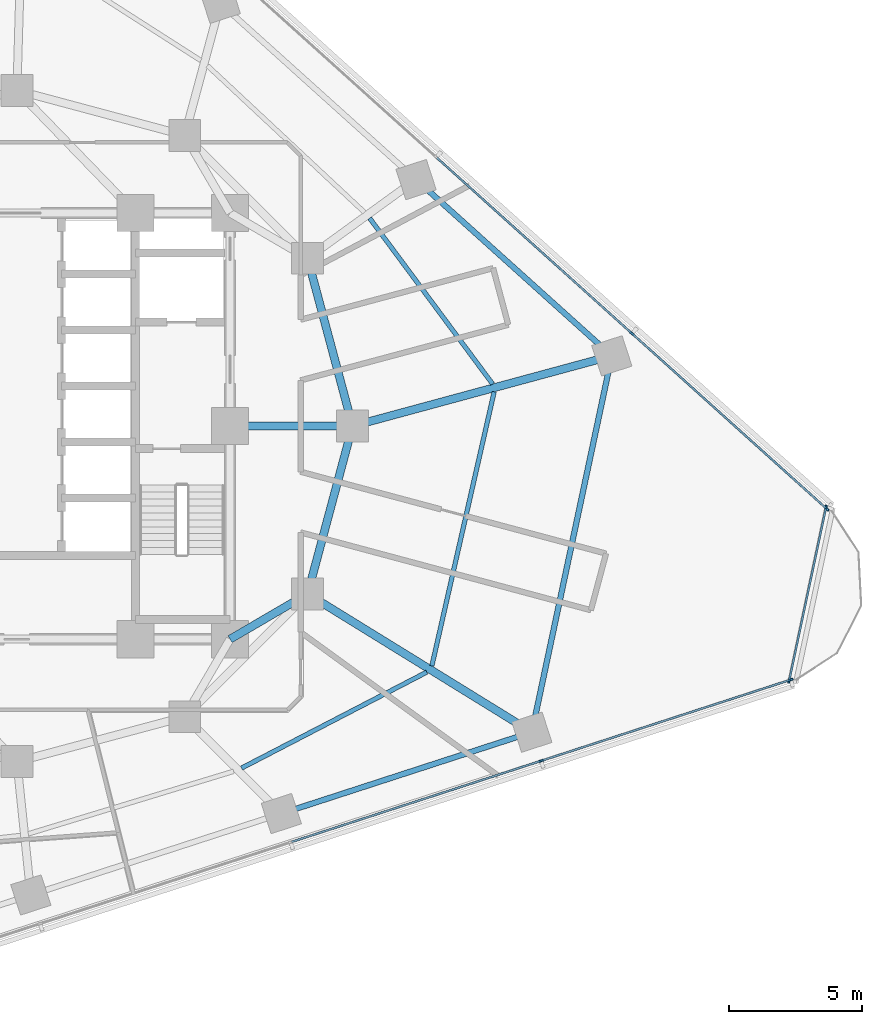
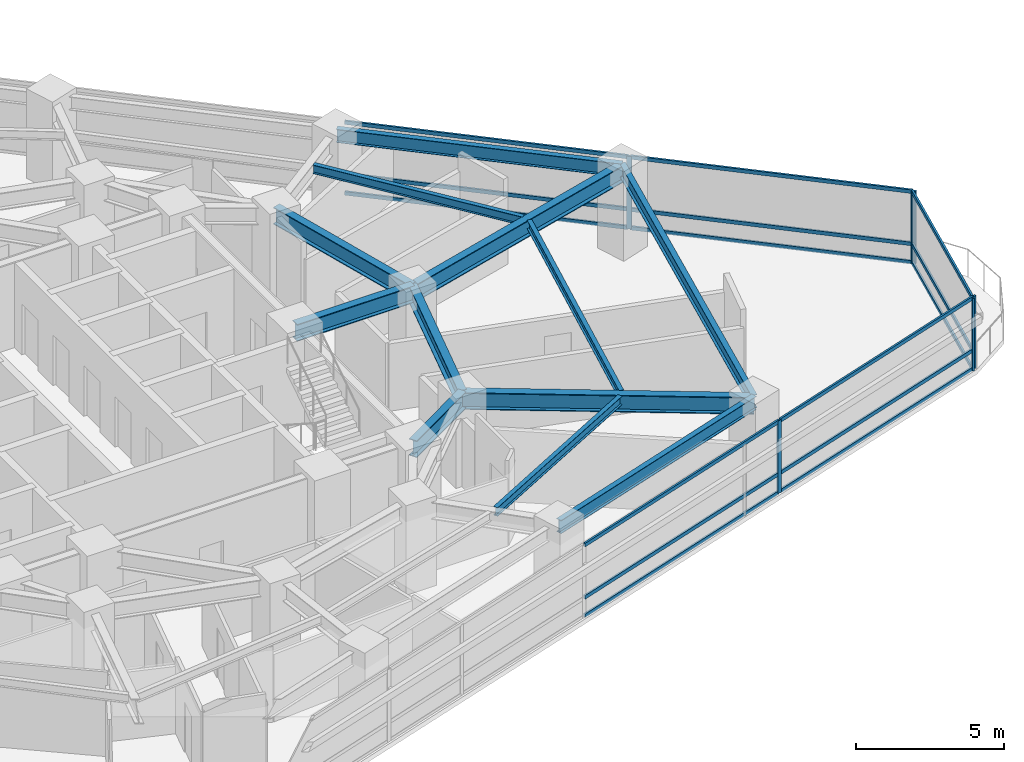
# One storey, part 4 of 13: 21 members, 12 beams, 3 elements without a shape of their own.
"""IFC4 building model written with IfcOpenShell, lengths in metres."""

from ifc_helpers import new_model, si_unit, direction, frame, origin, origin_2d, place, context, subcontext, project, spatial, rectangle, i_section, extrude, material, layer, layer_set, material_profile, profile_set, type_object, element, aggregate, save


model = new_model("IFC4")

# Units and contexts
model_context = context("Model", 3, precision=1e-05, world=origin(), true_north=direction((0.0, 1.0)))
body_context = subcontext(model_context, "Body", "Model", "MODEL_VIEW")
ifc_project = project(units=[si_unit("LENGTHUNIT", "METRE"), si_unit("AREAUNIT", "SQUARE_METRE"), si_unit("VOLUMEUNIT", "CUBIC_METRE"), si_unit("PLANEANGLEUNIT", "RADIAN"), si_unit("MASSUNIT", "GRAM", prefix="KILO")], contexts=[model_context])

# Site, building, storey
site_placement = place(None, origin())
site = spatial("IfcSite", under=ifc_project, at=site_placement, CompositionType="ELEMENT")
building_placement = place(site_placement, origin())
building = spatial("IfcBuilding", under=site, at=building_placement, Name="Terralouvre Media Tower", CompositionType="ELEMENT")
storey_placement = place(building_placement, frame((0.0, 0.0, 94.0)))
storey = spatial("IfcBuildingStorey", under=building, at=storey_placement, Name="L23", CompositionType="ELEMENT", Elevation=94.0)

# Beams
ifc_material_1 = material(Name="Structural steel S355J2", Category="steel")
ifc_material_profile_1 = material_profile(ifc_material_1, i_section(OverallWidth=0.169921875, OverallDepth=0.360107421875, WebThickness=0.008056640625, FlangeThickness=0.0126953125, at=origin_2d()), Name="IPE 360")
ifc_profile_set_1 = profile_set([ifc_material_profile_1], Name="Structural steel S355J2")
beam_type_1 = type_object("IfcBeamType", Name="Composite Floor Joist J-IPE360 (IPE 360)", PredefinedType="JOIST", material=ifc_profile_set_1)
beam_1_placement = place(storey_placement, frame((8.431640625, -12.83984375, 3.320068359375), z_axis=(0.88785826519, 0.460117051339, 0.0), x_axis=(-0.460117051339, 0.88785826519, 0.0)))
element("IfcBeam", 1, at=beam_1_placement, inside=storey, type_object=beam_type_1, Name="L23 Framing Beam JT-L23-05", PredefinedType="JOIST", context=body_context, shape_type="SweptSolid", body=[
    extrude(i_section(OverallWidth=0.169921875, OverallDepth=0.360107421875, WebThickness=0.008056640625, FlangeThickness=0.0126953125, at=origin_2d()), origin(), (0.0, 0.0, 1.0), 7.8349609375),
])
beam_2_placement = place(storey_placement, frame((15.576171875, -9.002685546875, 3.320068359375), z_axis=(0.221710109681, 0.975112622862, 0.0), x_axis=(-0.975112622862, 0.221710109681, 0.0)))
element("IfcBeam", 2, at=beam_2_placement, inside=storey, type_object=beam_type_1, Name="L23 Framing Beam JT-L23-06", PredefinedType="JOIST", context=body_context, shape_type="SweptSolid", body=[
    extrude(i_section(OverallWidth=0.169921875, OverallDepth=0.360107421875, WebThickness=0.008056640625, FlangeThickness=0.0126953125, at=origin_2d()), origin(), (0.0, 0.0, 1.0), 10.551513671875),
])
beam_3_placement = place(storey_placement, frame((17.85791015625, 1.57763671875, 3.320068359375), z_axis=(-0.595682426609, 0.803220048697, 0.0), x_axis=(-0.803220048697, -0.595682426609, 0.0)))
element("IfcBeam", 3, at=beam_3_placement, inside=storey, type_object=beam_type_1, Name="L23 Framing Beam JT-L23-07", PredefinedType="JOIST", context=body_context, shape_type="SweptSolid", body=[
    extrude(i_section(OverallWidth=0.169921875, OverallDepth=0.360107421875, WebThickness=0.008056640625, FlangeThickness=0.0126953125, at=origin_2d()), origin(), (0.0, 0.0, 1.0), 7.7509765625),
])

# Curtain wall, members
ifc_material_2 = material(Name="Low-iron laminated double glazing with solar-control coating", Category="glass")
ifc_layer_1 = layer(ifc_material_2, 0.1650390625, Name="Lower Media Tower Unitised Curtain Wall CW-02")
ifc_layer_set_1 = layer_set([ifc_layer_1], Name="Low-iron laminated double glazing with solar-control coating")
curtain_wall_type_1 = type_object("IfcCurtainWallType", Name="Lower Media Tower Unitised Curtain Wall CW-02", PredefinedType="NOTDEFINED", material=ifc_layer_set_1)
curtain_wall_1_placement = place(storey_placement, origin())
curtain_wall_1 = element("IfcCurtainWall", 4, at=curtain_wall_1_placement, inside=storey, type_object=curtain_wall_type_1, Name="L23 Facade Curtain Wall F0", PredefinedType="NOTDEFINED")
ifc_material_3 = material(Name="Anodised extruded aluminium 6063-T6", Category="aluminium")
ifc_material_profile_2 = material_profile(ifc_material_3, rectangle(XDim=0.074951171875, YDim=0.14990234375, at=origin_2d()), Name="ALU 75x150")
ifc_profile_set_2 = profile_set([ifc_material_profile_2], Name="Anodised extruded aluminium 6063-T6")
member_type_1 = type_object("IfcMemberType", Name="Curtain-Wall Horizontal Transom TR-150", PredefinedType="USERDEFINED", material=ifc_profile_set_2)
member_1_placement = place(storey_placement, frame((10.309814453125, -15.610107421875, 0.03759765625), z_axis=(0.951061672682, 0.309001124198, 0.0), x_axis=(-0.309001124198, 0.951061672682, 0.0)))
member_1 = element("IfcMember", 5, at=member_1_placement, type_object=member_type_1, Name="CW-02 transom 4.1", ObjectType="TRANSOM", PredefinedType="USERDEFINED", context=body_context, shape_type="SweptSolid", body=[
    extrude(rectangle(XDim=0.074951171875, YDim=0.14990234375, at=origin_2d()), origin(), (0.0, 0.0, 1.0), 9.81298828125),
])
member_2_placement = place(storey_placement, frame((10.309814453125, -15.610107421875, 0.800048828125), z_axis=(0.951061672682, 0.309001124198, 0.0), x_axis=(-0.309001124198, 0.951061672682, 0.0)))
member_2 = element("IfcMember", 6, at=member_2_placement, type_object=member_type_1, Name="CW-02 transom 4.2", ObjectType="TRANSOM", PredefinedType="USERDEFINED", context=body_context, shape_type="SweptSolid", body=[
    extrude(rectangle(XDim=0.074951171875, YDim=0.14990234375, at=origin_2d()), origin(), (0.0, 0.0, 1.0), 9.81298828125),
])
member_3_placement = place(storey_placement, frame((10.309814453125, -15.610107421875, 2.96240234375), z_axis=(0.951061672682, 0.309001124198, 0.0), x_axis=(-0.309001124198, 0.951061672682, 0.0)))
member_3 = element("IfcMember", 7, at=member_3_placement, type_object=member_type_1, Name="CW-02 transom 4.3", ObjectType="TRANSOM", PredefinedType="USERDEFINED", context=body_context, shape_type="SweptSolid", body=[
    extrude(rectangle(XDim=0.074951171875, YDim=0.14990234375, at=origin_2d()), origin(), (0.0, 0.0, 1.0), 9.81298828125),
])
member_4_placement = place(storey_placement, frame((19.7138671875, -12.5546875, 0.03759765625), z_axis=(0.951058475667, 0.309010963983, 0.0), x_axis=(-0.309010963983, 0.951058475667, 0.0)))
member_4 = element("IfcMember", 8, at=member_4_placement, type_object=member_type_1, Name="CW-02 transom 5.1", ObjectType="TRANSOM", PredefinedType="USERDEFINED", context=body_context, shape_type="SweptSolid", body=[
    extrude(rectangle(XDim=0.074951171875, YDim=0.14990234375, at=origin_2d()), origin(), (0.0, 0.0, 1.0), 9.775634765625),
])
member_5_placement = place(storey_placement, frame((19.7138671875, -12.5546875, 0.800048828125), z_axis=(0.951058475667, 0.309010963983, 0.0), x_axis=(-0.309010963983, 0.951058475667, 0.0)))
member_5 = element("IfcMember", 9, at=member_5_placement, type_object=member_type_1, Name="CW-02 transom 5.2", ObjectType="TRANSOM", PredefinedType="USERDEFINED", context=body_context, shape_type="SweptSolid", body=[
    extrude(rectangle(XDim=0.074951171875, YDim=0.14990234375, at=origin_2d()), origin(), (0.0, 0.0, 1.0), 9.775634765625),
])
member_6_placement = place(storey_placement, frame((19.7138671875, -12.5546875, 2.96240234375), z_axis=(0.951058475667, 0.309010963983, 0.0), x_axis=(-0.309010963983, 0.951058475667, 0.0)))
member_6 = element("IfcMember", 10, at=member_6_placement, type_object=member_type_1, Name="CW-02 transom 5.3", ObjectType="TRANSOM", PredefinedType="USERDEFINED", context=body_context, shape_type="SweptSolid", body=[
    extrude(rectangle(XDim=0.074951171875, YDim=0.14990234375, at=origin_2d()), origin(), (0.0, 0.0, 1.0), 9.775634765625),
])

curtain_wall_2_placement = place(storey_placement, origin())
curtain_wall_2 = element("IfcCurtainWall", 11, at=curtain_wall_2_placement, inside=storey, type_object=curtain_wall_type_1, Name="L23 Facade Curtain Wall F1", PredefinedType="NOTDEFINED")
member_7_placement = place(storey_placement, frame((30.380615234375, -3.09033203125, 0.03759765625), z_axis=(-0.743137656594, 0.669138568125, 0.0), x_axis=(-0.669138568125, -0.743137656594, 0.0)))
member_7 = element("IfcMember", 12, at=member_7_placement, type_object=member_type_1, Name="CW-02 transom 1.1", ObjectType="TRANSOM", PredefinedType="USERDEFINED", context=body_context, shape_type="SweptSolid", body=[
    extrude(rectangle(XDim=0.074951171875, YDim=0.14990234375, at=origin_2d()), origin(), (0.0, 0.0, 1.0), 9.775634765625),
])
member_8_placement = place(storey_placement, frame((30.380615234375, -3.09033203125, 0.800048828125), z_axis=(-0.743137656594, 0.669138568125, 0.0), x_axis=(-0.669138568125, -0.743137656594, 0.0)))
member_8 = element("IfcMember", 13, at=member_8_placement, type_object=member_type_1, Name="CW-02 transom 1.2", ObjectType="TRANSOM", PredefinedType="USERDEFINED", context=body_context, shape_type="SweptSolid", body=[
    extrude(rectangle(XDim=0.074951171875, YDim=0.14990234375, at=origin_2d()), origin(), (0.0, 0.0, 1.0), 9.775634765625),
])
member_9_placement = place(storey_placement, frame((30.380615234375, -3.09033203125, 2.96240234375), z_axis=(-0.743137656594, 0.669138568125, 0.0), x_axis=(-0.669138568125, -0.743137656594, 0.0)))
member_9 = element("IfcMember", 14, at=member_9_placement, type_object=member_type_1, Name="CW-02 transom 1.3", ObjectType="TRANSOM", PredefinedType="USERDEFINED", context=body_context, shape_type="SweptSolid", body=[
    extrude(rectangle(XDim=0.074951171875, YDim=0.14990234375, at=origin_2d()), origin(), (0.0, 0.0, 1.0), 9.775634765625),
])
member_10_placement = place(storey_placement, frame((23.060302734375, 3.5009765625, 0.03759765625), z_axis=(-0.743145676677, 0.669129661005, 0.0), x_axis=(-0.669129661005, -0.743145676677, 0.0)))
member_10 = element("IfcMember", 15, at=member_10_placement, type_object=member_type_1, Name="CW-02 transom 2.1", ObjectType="TRANSOM", PredefinedType="USERDEFINED", context=body_context, shape_type="SweptSolid", body=[
    extrude(rectangle(XDim=0.074951171875, YDim=0.14990234375, at=origin_2d()), origin(), (0.0, 0.0, 1.0), 9.81298828125),
])
member_11_placement = place(storey_placement, frame((23.060302734375, 3.5009765625, 0.800048828125), z_axis=(-0.743145676677, 0.669129661005, 0.0), x_axis=(-0.669129661005, -0.743145676677, 0.0)))
member_11 = element("IfcMember", 16, at=member_11_placement, type_object=member_type_1, Name="CW-02 transom 2.2", ObjectType="TRANSOM", PredefinedType="USERDEFINED", context=body_context, shape_type="SweptSolid", body=[
    extrude(rectangle(XDim=0.074951171875, YDim=0.14990234375, at=origin_2d()), origin(), (0.0, 0.0, 1.0), 9.81298828125),
])
member_12_placement = place(storey_placement, frame((23.060302734375, 3.5009765625, 2.96240234375), z_axis=(-0.743145676677, 0.669129661005, 0.0), x_axis=(-0.669129661005, -0.743145676677, 0.0)))
member_12 = element("IfcMember", 17, at=member_12_placement, type_object=member_type_1, Name="CW-02 transom 2.3", ObjectType="TRANSOM", PredefinedType="USERDEFINED", context=body_context, shape_type="SweptSolid", body=[
    extrude(rectangle(XDim=0.074951171875, YDim=0.14990234375, at=origin_2d()), origin(), (0.0, 0.0, 1.0), 9.81298828125),
])

ifc_material_4 = material(Name="Low-iron laminated double glazing with solar-control coating", Category="glass")
ifc_layer_2 = layer(ifc_material_4, 0.1650390625, Name="Rounded Wind-Corner Curved Glazing CW-04")
ifc_layer_set_2 = layer_set([ifc_layer_2], Name="Low-iron laminated double glazing with solar-control coating")
curtain_wall_type_2 = type_object("IfcCurtainWallType", Name="Rounded Wind-Corner Curved Glazing CW-04", PredefinedType="NOTDEFINED", material=ifc_layer_set_2)
curtain_wall_3_placement = place(storey_placement, origin())
curtain_wall_3 = element("IfcCurtainWall", 18, at=curtain_wall_3_placement, inside=storey, type_object=curtain_wall_type_2, Name="L23 Rounded Wind-Corner Curtain Wall C1", PredefinedType="NOTDEFINED")
member_13_placement = place(storey_placement, frame((28.998046875, -9.522216796875, 0.03759765625), z_axis=(0.207899641228, 0.978150161876, 0.0), x_axis=(-0.978150161876, 0.207899641228, 0.0)))
member_13 = element("IfcMember", 19, at=member_13_placement, type_object=member_type_1, Name="CW-04 transom 1.1", ObjectType="TRANSOM", PredefinedType="USERDEFINED", context=body_context, shape_type="SweptSolid", body=[
    extrude(rectangle(XDim=0.074951171875, YDim=0.14990234375, at=origin_2d()), origin(), (0.0, 0.0, 1.0), 6.5703125),
])
member_14_placement = place(storey_placement, frame((28.998046875, -9.522216796875, 0.800048828125), z_axis=(0.207899641228, 0.978150161876, 0.0), x_axis=(-0.978150161876, 0.207899641228, 0.0)))
member_14 = element("IfcMember", 20, at=member_14_placement, type_object=member_type_1, Name="CW-04 transom 1.2", ObjectType="TRANSOM", PredefinedType="USERDEFINED", context=body_context, shape_type="SweptSolid", body=[
    extrude(rectangle(XDim=0.074951171875, YDim=0.14990234375, at=origin_2d()), origin(), (0.0, 0.0, 1.0), 6.5703125),
])
member_15_placement = place(storey_placement, frame((28.998046875, -9.522216796875, 2.96240234375), z_axis=(0.207899641228, 0.978150161876, 0.0), x_axis=(-0.978150161876, 0.207899641228, 0.0)))
member_15 = element("IfcMember", 21, at=member_15_placement, type_object=member_type_1, Name="CW-04 transom 1.3", ObjectType="TRANSOM", PredefinedType="USERDEFINED", context=body_context, shape_type="SweptSolid", body=[
    extrude(rectangle(XDim=0.074951171875, YDim=0.14990234375, at=origin_2d()), origin(), (0.0, 0.0, 1.0), 6.5703125),
])

# Member
ifc_material_5 = material(Name="Anodised extruded aluminium 6063-T6", Category="aluminium")
ifc_material_profile_3 = material_profile(ifc_material_5, rectangle(XDim=0.074951171875, YDim=0.179931640625, at=origin_2d()), Name="ALU 75x180")
ifc_profile_set_3 = profile_set([ifc_material_profile_3], Name="Anodised extruded aluminium 6063-T6")
member_type_2 = type_object("IfcMemberType", Name="Curtain-Wall Vertical Mullion ML-180", PredefinedType="MULLION", material=ifc_profile_set_3)
member_16_placement = place(storey_placement, frame((19.67822265625, -12.566162109375, 0.0), z_axis=(0.0, 0.0, 1.0), x_axis=(-0.309017015439, 0.951056509451, 0.0)))
member_16 = element("IfcMember", 22, at=member_16_placement, type_object=member_type_2, Name="CW-02 mullion 5", PredefinedType="MULLION", context=body_context, shape_type="SweptSolid", body=[
    extrude(rectangle(XDim=0.074951171875, YDim=0.179931640625, at=origin_2d()), origin(), (0.0, 0.0, 1.0), 3.0),
])

member_17_placement = place(storey_placement, frame((29.046630859375, -9.522216796875, 0.0), z_axis=(0.0, 0.0, 1.0), x_axis=(-0.309017015439, 0.951056509451, 0.0)))
member_17 = element("IfcMember", 23, at=member_17_placement, type_object=member_type_2, Name="CW-02 mullion 6", PredefinedType="MULLION", context=body_context, shape_type="SweptSolid", body=[
    extrude(rectangle(XDim=0.074951171875, YDim=0.179931640625, at=origin_2d()), origin(), (0.0, 0.0, 1.0), 3.0),
])

aggregate(curtain_wall_1, [member_16, member_17, member_1, member_2, member_3, member_4, member_5, member_6])

member_18_placement = place(storey_placement, frame((30.408447265625, -3.115478515625, 0.0), z_axis=(0.0, 0.0, 1.0), x_axis=(-0.669130639602, -0.743144795545, 0.0)))
member_18 = element("IfcMember", 24, at=member_18_placement, type_object=member_type_2, Name="CW-02 mullion 1", PredefinedType="MULLION", context=body_context, shape_type="SweptSolid", body=[
    extrude(rectangle(XDim=0.074951171875, YDim=0.179931640625, at=origin_2d()), origin(), (0.0, 0.0, 1.0), 3.0),
])

member_19_placement = place(storey_placement, frame((23.088134765625, 3.475830078125, 0.0), z_axis=(0.0, 0.0, 1.0), x_axis=(-0.669130639602, -0.743144795545, 0.0)))
member_19 = element("IfcMember", 25, at=member_19_placement, type_object=member_type_2, Name="CW-02 mullion 2", PredefinedType="MULLION", context=body_context, shape_type="SweptSolid", body=[
    extrude(rectangle(XDim=0.074951171875, YDim=0.179931640625, at=origin_2d()), origin(), (0.0, 0.0, 1.0), 3.0),
])

aggregate(curtain_wall_2, [member_18, member_19, member_7, member_8, member_9, member_10, member_11, member_12])

member_20_placement = place(storey_placement, frame((28.990234375, -9.55908203125, 0.0), z_axis=(0.0, 0.0, 1.0), x_axis=(-0.978147617626, 0.207911611348, 0.0)))
member_20 = element("IfcMember", 26, at=member_20_placement, type_object=member_type_2, Name="CW-04 mullion 1", PredefinedType="MULLION", context=body_context, shape_type="SweptSolid", body=[
    extrude(rectangle(XDim=0.074951171875, YDim=0.179931640625, at=origin_2d()), origin(), (0.0, 0.0, 1.0), 3.0),
])

member_21_placement = place(storey_placement, frame((30.371826171875, -3.058837890625, 0.0), z_axis=(0.0, 0.0, 1.0), x_axis=(-0.978147617626, 0.207911611348, 0.0)))
member_21 = element("IfcMember", 27, at=member_21_placement, type_object=member_type_2, Name="CW-04 mullion 2", PredefinedType="MULLION", context=body_context, shape_type="SweptSolid", body=[
    extrude(rectangle(XDim=0.074951171875, YDim=0.179931640625, at=origin_2d()), origin(), (0.0, 0.0, 1.0), 3.0),
])

aggregate(curtain_wall_3, [member_20, member_21, member_13, member_14, member_15])

# Beams
ifc_material_6 = material(Name="Structural steel S355J2", Category="steel")
ifc_material_profile_4 = material_profile(ifc_material_6, i_section(OverallWidth=0.2099609375, OverallDepth=0.550048828125, WebThickness=0.010986328125, FlangeThickness=0.01708984375, at=origin_2d()), Name="IPE 550")
ifc_profile_set_4 = profile_set([ifc_material_profile_4], Name="Structural steel S355J2")
beam_type_2 = type_object("IfcBeamType", Name="Perimeter Spandrel Beam SPB-550 (IPE 550)", PredefinedType="SPANDREL", material=ifc_profile_set_4)
beam_4_placement = place(storey_placement, frame((9.925048828125, -14.547119140625, 3.22509765625), z_axis=(0.95105348149, 0.309026334389, 0.0), x_axis=(-0.309026334389, 0.95105348149, 0.0)))
element("IfcBeam", 28, at=beam_4_placement, inside=storey, type_object=beam_type_2, Name="L23 Framing Beam BM-L23-PR05", PredefinedType="SPANDREL", context=body_context, shape_type="SweptSolid", body=[
    extrude(i_section(OverallWidth=0.2099609375, OverallDepth=0.550048828125, WebThickness=0.010986328125, FlangeThickness=0.01708984375, at=origin_2d()), origin(), (0.0, 0.0, 1.0), 9.887939453125),
])
beam_5_placement = place(storey_placement, frame((19.3291015625, -11.491455078125, 3.22509765625), z_axis=(0.207911520129, 0.978147637015, 0.0), x_axis=(-0.978147637015, 0.207911520129, 0.0)))
element("IfcBeam", 29, at=beam_5_placement, inside=storey, type_object=beam_type_2, Name="L23 Framing Beam BM-L23-PR06", PredefinedType="SPANDREL", context=body_context, shape_type="SweptSolid", body=[
    extrude(i_section(OverallWidth=0.2099609375, OverallDepth=0.550048828125, WebThickness=0.010986328125, FlangeThickness=0.01708984375, at=origin_2d()), origin(), (0.0, 0.0, 1.0), 14.443359375),
])
beam_6_placement = place(storey_placement, frame((22.33203125, 2.63623046875, 3.22509765625), z_axis=(-0.743149256852, 0.669125684786, 0.0), x_axis=(-0.669125684786, -0.743149256852, 0.0)))
element("IfcBeam", 30, at=beam_6_placement, inside=storey, type_object=beam_type_2, Name="L23 Framing Beam BM-L23-PR07", PredefinedType="SPANDREL", context=body_context, shape_type="SweptSolid", body=[
    extrude(i_section(OverallWidth=0.2099609375, OverallDepth=0.550048828125, WebThickness=0.010986328125, FlangeThickness=0.01708984375, at=origin_2d()), origin(), (0.0, 0.0, 1.0), 9.887939453125),
])
ifc_material_7 = material(Name="Structural steel S460M", Category="steel")
ifc_material_profile_5 = material_profile(ifc_material_7, i_section(OverallWidth=0.300048828125, OverallDepth=0.699951171875, WebThickness=0.01708984375, FlangeThickness=0.031982421875, at=origin_2d()), Name="HEB 700")
ifc_profile_set_5 = profile_set([ifc_material_profile_5], Name="Structural steel S460M")
beam_type_3 = type_object("IfcBeamType", Name="Primary Floor Girder B-HEB700 (HEB 700)", PredefinedType="BEAM", material=ifc_profile_set_5)
for number, where, z_axis, x_axis, name in (
    (31, (10.911865234375, -6.300048828125, 3.14990234375), (0.258838989821, 0.965920481897, 0.0), (-0.965920481897, 0.258838989821, 0.0), "L23 Framing Beam BM-L23-MR05"),
    (32, (12.60009765625, 0.0, 3.14990234375), (-0.258838989821, 0.965920481897, 0.0), (-0.965920481897, -0.258838989821, 0.0), "L23 Framing Beam BM-L23-MR06"),
):
    element("IfcBeam", number, at=place(storey_placement, frame(where, z_axis=z_axis, x_axis=x_axis)), inside=storey, type_object=beam_type_3, Name=name, PredefinedType="BEAM", context=body_context, shape_type="SweptSolid", body=[
        extrude(i_section(OverallWidth=0.300048828125, OverallDepth=0.699951171875, WebThickness=0.01708984375, FlangeThickness=0.031982421875, at=origin_2d()), origin(), (0.0, 0.0, 1.0), 6.522216796875),
    ])
beam_7_placement = place(storey_placement, frame((8.0, -8.0, 3.14990234375), z_axis=(0.863602894532, 0.504172629717, 0.0), x_axis=(-0.504172629717, 0.863602894532, 0.0)))
element("IfcBeam", 33, at=beam_7_placement, inside=storey, type_object=beam_type_3, Name="L23 Framing Beam BM-L23-CM05", PredefinedType="BEAM", context=body_context, shape_type="SweptSolid", body=[
    extrude(i_section(OverallWidth=0.300048828125, OverallDepth=0.699951171875, WebThickness=0.01708984375, FlangeThickness=0.031982421875, at=origin_2d()), origin(), (0.0, 0.0, 1.0), 3.371826171875),
])
beam_8_placement = place(storey_placement, frame((8.0, 0.0, 3.14990234375), z_axis=(1.0, 0.0, 0.0), x_axis=(0.0, 1.0, 0.0)))
element("IfcBeam", 34, at=beam_8_placement, inside=storey, type_object=beam_type_3, Name="L23 Framing Beam BM-L23-CM06", PredefinedType="BEAM", context=body_context, shape_type="SweptSolid", body=[
    extrude(i_section(OverallWidth=0.300048828125, OverallDepth=0.699951171875, WebThickness=0.01708984375, FlangeThickness=0.031982421875, at=origin_2d()), origin(), (0.0, 0.0, 1.0), 4.60009765625),
])
beam_9_placement = place(storey_placement, frame((10.911865234375, -6.300048828125, 3.14990234375), z_axis=(0.851135757445, -0.524945637565, 0.0), x_axis=(0.524945637565, 0.851135757445, 0.0)))
element("IfcBeam", 35, at=beam_9_placement, inside=storey, type_object=beam_type_3, Name="L23 Framing Beam BM-L23-RD06", PredefinedType="BEAM", context=body_context, shape_type="SweptSolid", body=[
    extrude(i_section(OverallWidth=0.300048828125, OverallDepth=0.699951171875, WebThickness=0.01708984375, FlangeThickness=0.031982421875, at=origin_2d()), origin(), (0.0, 0.0, 1.0), 9.889404296875),
])
beam_10_placement = place(storey_placement, frame((12.60009765625, 0.0, 3.14990234375), z_axis=(0.965213896705, 0.261461533707, 0.0), x_axis=(-0.261461533707, 0.965213896705, 0.0)))
element("IfcBeam", 36, at=beam_10_placement, inside=storey, type_object=beam_type_3, Name="L23 Framing Beam BM-L23-RD07", PredefinedType="BEAM", context=body_context, shape_type="SweptSolid", body=[
    extrude(i_section(OverallWidth=0.300048828125, OverallDepth=0.699951171875, WebThickness=0.01708984375, FlangeThickness=0.031982421875, at=origin_2d()), origin(), (0.0, 0.0, 1.0), 10.082763671875),
])

save(model, "model.ifc")
